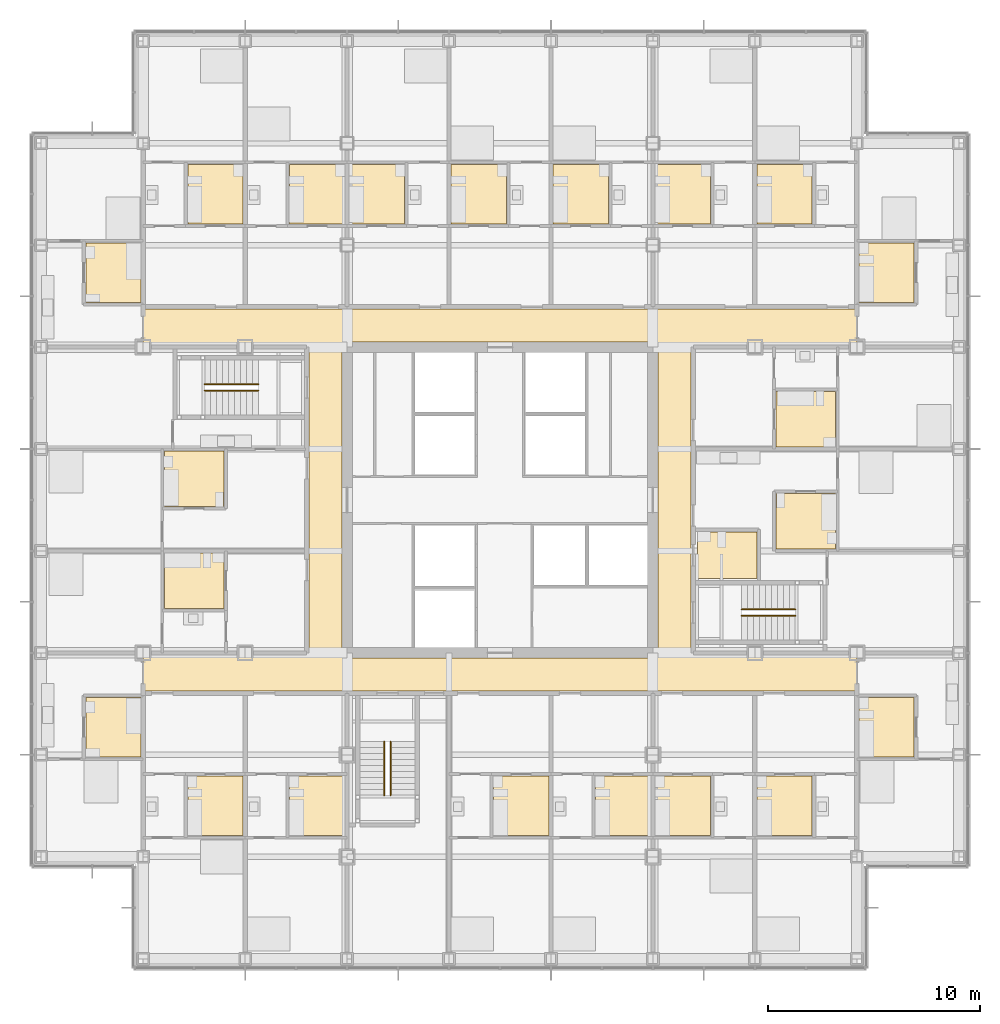
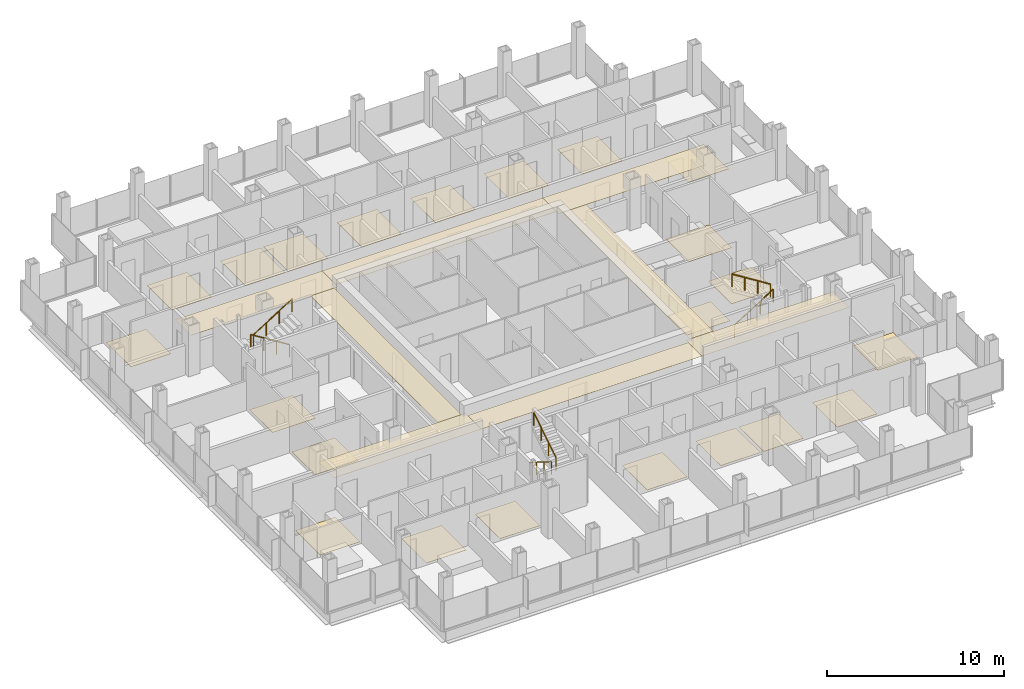
# One storey, part 20 of 22: 30 coverings, 6 railings.
"""IFC4 building model written with IfcOpenShell, lengths in metres."""

from ifc_helpers import new_model, si_unit, direction, frame, origin, origin_2d, place, context, subcontext, project, spatial, polyline, circle, outline, extrude, material, layer, layer_set, type_object, element, save


model = new_model("IFC4")

# Units and contexts
model_context = context("Model", 3, precision=1e-05, world=origin(), true_north=direction((0.0, 1.0)))
body_context = subcontext(model_context, "Body", "Model", "MODEL_VIEW")
ifc_project = project(units=[si_unit("LENGTHUNIT", "METRE"), si_unit("AREAUNIT", "SQUARE_METRE"), si_unit("VOLUMEUNIT", "CUBIC_METRE"), si_unit("PLANEANGLEUNIT", "RADIAN"), si_unit("MASSUNIT", "GRAM", prefix="KILO")], contexts=[model_context])

# Site, building, storey
site_placement = place(None, origin())
site = spatial("IfcSite", under=ifc_project, at=site_placement, CompositionType="ELEMENT")
building_placement = place(site_placement, origin())
building = spatial("IfcBuilding", under=site, at=building_placement, Name="Kvirike Care Tower", CompositionType="ELEMENT")
storey_placement = place(building_placement, frame((0.0, 0.0, 76.0)))
storey = spatial("IfcBuildingStorey", under=building, at=storey_placement, Name="L20", CompositionType="ELEMENT", Elevation=76.0)

# Coverings
ifc_material_1 = material(Name="Perforated metal ceiling tile", Category="aluminium")
ifc_layer_1 = layer(ifc_material_1, 0.014892578125)
ifc_layer_set_1 = layer_set([ifc_layer_1], Name="CORRIDOR CEILING 15")
covering_type_1 = type_object("IfcCoveringType", Name="CORRIDOR CEILING 15", PredefinedType="CEILING", material=ifc_layer_set_1)
covering_1_placement = place(storey_placement, frame((0.0, 0.0, 2.5)))
element("IfcCovering", 1, at=covering_1_placement, inside=storey, type_object=covering_type_1, Name="Corridor ceiling L20", PredefinedType="CEILING", context=body_context, shape_type="SweptSolid", body=[
    extrude(outline(polyline([(4.800048828125, 27.0), (4.800048828125, 28.800048828125), (14.39990234375, 28.800048828125), (14.39990234375, 27.0), (4.800048828125, 27.0)])), origin(), (0.0, 0.0, 1.0), 0.014892578125),
])
covering_2_placement = place(storey_placement, frame((0.0, 0.0, 2.5)))
element("IfcCovering", 2, at=covering_2_placement, inside=storey, type_object=covering_type_1, Name="Corridor ceiling L20", PredefinedType="CEILING", context=body_context, shape_type="SweptSolid", body=[
    extrude(outline(polyline([(12.60009765625, 43.199951171875), (14.14990234375, 43.199951171875), (14.14990234375, 28.800048828125), (12.60009765625, 28.800048828125), (12.60009765625, 43.199951171875)])), origin(), (0.0, 0.0, 1.0), 0.014892578125),
])
covering_3_placement = place(storey_placement, frame((0.0, 0.0, 2.5)))
element("IfcCovering", 3, at=covering_3_placement, inside=storey, type_object=covering_type_1, Name="Corridor ceiling L20", PredefinedType="CEILING", context=body_context, shape_type="SweptSolid", body=[
    extrude(outline(polyline([(14.39990234375, 45.0), (14.39990234375, 43.199951171875), (4.800048828125, 43.199951171875), (4.800048828125, 45.0), (14.39990234375, 45.0)])), origin(), (0.0, 0.0, 1.0), 0.014892578125),
])
covering_4_placement = place(storey_placement, frame((0.0, 0.0, 2.5)))
element("IfcCovering", 4, at=covering_4_placement, inside=storey, type_object=covering_type_1, Name="Corridor ceiling L20", PredefinedType="CEILING", context=body_context, shape_type="SweptSolid", body=[
    extrude(outline(polyline([(14.39990234375, 27.0), (14.39990234375, 28.550048828125), (28.800048828125, 28.550048828125), (28.800048828125, 27.0), (14.39990234375, 27.0)])), origin(), (0.0, 0.0, 1.0), 0.014892578125),
])
covering_5_placement = place(storey_placement, frame((0.0, 0.0, 2.5)))
element("IfcCovering", 5, at=covering_5_placement, inside=storey, type_object=covering_type_1, Name="Corridor ceiling L20", PredefinedType="CEILING", context=body_context, shape_type="SweptSolid", body=[
    extrude(outline(polyline([(28.800048828125, 45.0), (28.800048828125, 43.449951171875), (14.39990234375, 43.449951171875), (14.39990234375, 45.0), (28.800048828125, 45.0)])), origin(), (0.0, 0.0, 1.0), 0.014892578125),
])
covering_6_placement = place(storey_placement, frame((0.0, 0.0, 2.5)))
element("IfcCovering", 6, at=covering_6_placement, inside=storey, type_object=covering_type_1, Name="Corridor ceiling L20", PredefinedType="CEILING", context=body_context, shape_type="SweptSolid", body=[
    extrude(outline(polyline([(28.800048828125, 27.0), (28.800048828125, 28.800048828125), (38.39990234375, 28.800048828125), (38.39990234375, 27.0), (28.800048828125, 27.0)])), origin(), (0.0, 0.0, 1.0), 0.014892578125),
])
covering_7_placement = place(storey_placement, frame((0.0, 0.0, 2.5)))
element("IfcCovering", 7, at=covering_7_placement, inside=storey, type_object=covering_type_1, Name="Corridor ceiling L20", PredefinedType="CEILING", context=body_context, shape_type="SweptSolid", body=[
    extrude(outline(polyline([(30.60009765625, 28.800048828125), (29.050048828125, 28.800048828125), (29.050048828125, 43.199951171875), (30.60009765625, 43.199951171875), (30.60009765625, 28.800048828125)])), origin(), (0.0, 0.0, 1.0), 0.014892578125),
])
covering_8_placement = place(storey_placement, frame((0.0, 0.0, 2.5)))
element("IfcCovering", 8, at=covering_8_placement, inside=storey, type_object=covering_type_1, Name="Corridor ceiling L20", PredefinedType="CEILING", context=body_context, shape_type="SweptSolid", body=[
    extrude(outline(polyline([(38.39990234375, 45.0), (38.39990234375, 43.199951171875), (28.800048828125, 43.199951171875), (28.800048828125, 45.0), (38.39990234375, 45.0)])), origin(), (0.0, 0.0, 1.0), 0.014892578125),
])

# Railings
ifc_material_2 = material(Name="Stainless steel handrail", Category="steel")
railing_type = type_object("IfcRailingType", Name="STAIR HANDRAIL 900", PredefinedType="HANDRAIL", material=ifc_material_2)
railing_1_placement = place(storey_placement, frame((10.219970703125, 41.449951171875, 0.175048828125)))
element("IfcRailing", 9, at=railing_1_placement, inside=storey, type_object=railing_type, Name="Stair 1 handrail L20 flight 1", PredefinedType="HANDRAIL", context=body_context, shape_type="SweptSolid", body=[
    extrude(circle(Radius=0.02490234375, at=origin_2d()), frame((0.0, 0.0, 0.875), z_axis=(-0.848007534815, 0.0, 0.529984170421), x_axis=(0.0, -1.0, 0.0)), (0.0, 0.0, 1.0), 2.9716796875),
    extrude(circle(Radius=0.02001953125, at=origin_2d()), origin(), (0.0, 0.0, 1.0), 0.849853515625),
    extrude(circle(Radius=0.02001953125, at=origin_2d()), frame((-0.840087890625, 0.0, 0.52490234375)), (0.0, 0.0, 1.0), 0.849853515625),
    extrude(circle(Radius=0.02001953125, at=origin_2d()), frame((-1.679931640625, 0.0, 1.050048828125)), (0.0, 0.0, 1.0), 0.849853515625),
    extrude(circle(Radius=0.02001953125, at=origin_2d()), frame((-2.52001953125, 0.0, 1.574951171875)), (0.0, 0.0, 1.0), 0.849853515625),
])
for number, where, name in (
    (10, (7.699951171875, 41.14990234375, 1.925048828125), "Stair 1 handrail L20 flight 2"),
    (11, (32.97998046875, 30.550048828125, 0.175048828125), "Stair 2 handrail L20 flight 1"),
):
    element("IfcRailing", number, at=place(storey_placement, frame(where)), inside=storey, type_object=railing_type, Name=name, PredefinedType="HANDRAIL", context=body_context, shape_type="SweptSolid", body=[
        extrude(circle(Radius=0.02490234375, at=origin_2d()), frame((0.0, 0.0, 0.875), z_axis=(0.848007534815, 0.0, 0.529984170421), x_axis=(0.0, 1.0, 0.0)), (0.0, 0.0, 1.0), 2.9716796875),
        extrude(circle(Radius=0.02001953125, at=origin_2d()), origin(), (0.0, 0.0, 1.0), 0.849853515625),
        extrude(circle(Radius=0.02001953125, at=origin_2d()), frame((0.840087890625, 0.0, 0.52490234375)), (0.0, 0.0, 1.0), 0.849853515625),
        extrude(circle(Radius=0.02001953125, at=origin_2d()), frame((1.679931640625, 0.0, 1.050048828125)), (0.0, 0.0, 1.0), 0.849853515625),
        extrude(circle(Radius=0.02001953125, at=origin_2d()), frame((2.52001953125, 0.0, 1.574951171875)), (0.0, 0.0, 1.0), 0.849853515625),
    ])
railing_2_placement = place(storey_placement, frame((35.5, 30.85009765625, 1.925048828125)))
element("IfcRailing", 12, at=railing_2_placement, inside=storey, type_object=railing_type, Name="Stair 2 handrail L20 flight 2", PredefinedType="HANDRAIL", context=body_context, shape_type="SweptSolid", body=[
    extrude(circle(Radius=0.02490234375, at=origin_2d()), frame((0.0, 0.0, 0.875), z_axis=(-0.848007534815, 0.0, 0.529984170421), x_axis=(0.0, -1.0, 0.0)), (0.0, 0.0, 1.0), 2.9716796875),
    extrude(circle(Radius=0.02001953125, at=origin_2d()), origin(), (0.0, 0.0, 1.0), 0.849853515625),
    extrude(circle(Radius=0.02001953125, at=origin_2d()), frame((-0.840087890625, 0.0, 0.52490234375)), (0.0, 0.0, 1.0), 0.849853515625),
    extrude(circle(Radius=0.02001953125, at=origin_2d()), frame((-1.679931640625, 0.0, 1.050048828125)), (0.0, 0.0, 1.0), 0.849853515625),
    extrude(circle(Radius=0.02001953125, at=origin_2d()), frame((-2.52001953125, 0.0, 1.574951171875)), (0.0, 0.0, 1.0), 0.849853515625),
])
railing_3_placement = place(storey_placement, frame((16.14990234375, 24.6201171875, 0.175048828125)))
element("IfcRailing", 13, at=railing_3_placement, inside=storey, type_object=railing_type, Name="Stair 5 handrail L20 flight 1", PredefinedType="HANDRAIL", context=body_context, shape_type="SweptSolid", body=[
    extrude(circle(Radius=0.02490234375, at=origin_2d()), frame((0.0, 0.0, 0.875), z_axis=(0.0, -0.848007534815, 0.529984170421), x_axis=(1.0, 0.0, 0.0)), (0.0, 0.0, 1.0), 2.9716796875),
    extrude(circle(Radius=0.02001953125, at=origin_2d()), origin(), (0.0, 0.0, 1.0), 0.849853515625),
    extrude(circle(Radius=0.02001953125, at=origin_2d()), frame((0.0, -0.840087890625, 0.52490234375)), (0.0, 0.0, 1.0), 0.849853515625),
    extrude(circle(Radius=0.02001953125, at=origin_2d()), frame((0.0, -1.679931640625, 1.050048828125)), (0.0, 0.0, 1.0), 0.849853515625),
    extrude(circle(Radius=0.02001953125, at=origin_2d()), frame((0.0, -2.52001953125, 1.574951171875)), (0.0, 0.0, 1.0), 0.849853515625),
])
railing_4_placement = place(storey_placement, frame((16.449951171875, 22.10009765625, 1.925048828125)))
element("IfcRailing", 14, at=railing_4_placement, inside=storey, type_object=railing_type, Name="Stair 5 handrail L20 flight 2", PredefinedType="HANDRAIL", context=body_context, shape_type="SweptSolid", body=[
    extrude(circle(Radius=0.02490234375, at=origin_2d()), frame((0.0, 0.0, 0.875), z_axis=(0.0, 0.848007534815, 0.529984170421), x_axis=(-1.0, 0.0, 0.0)), (0.0, 0.0, 1.0), 2.9716796875),
    extrude(circle(Radius=0.02001953125, at=origin_2d()), origin(), (0.0, 0.0, 1.0), 0.849853515625),
    extrude(circle(Radius=0.02001953125, at=origin_2d()), frame((0.0, 0.840087890625, 0.52490234375)), (0.0, 0.0, 1.0), 0.849853515625),
    extrude(circle(Radius=0.02001953125, at=origin_2d()), frame((0.0, 1.679931640625, 1.050048828125)), (0.0, 0.0, 1.0), 0.849853515625),
    extrude(circle(Radius=0.02001953125, at=origin_2d()), frame((0.0, 2.52001953125, 1.574951171875)), (0.0, 0.0, 1.0), 0.849853515625),
])

# Coverings
ifc_material_3 = material(Name="Slip-resistant vinyl safety flooring on screed")
ifc_layer_2 = layer(ifc_material_3, 0.02001953125)
ifc_layer_set_2 = layer_set([ifc_layer_2], Name="WET ROOM FLOOR 20")
covering_type_2 = type_object("IfcCoveringType", Name="WET ROOM FLOOR 20", PredefinedType="FLOORING", material=ifc_layer_set_2)
covering_9_placement = place(storey_placement, origin())
element("IfcCovering", 15, at=covering_9_placement, inside=storey, type_object=covering_type_2, Name="Bathroom floor L20-003", PredefinedType="FLOORING", context=body_context, shape_type="SweptSolid", body=[
    extrude(outline(polyline([(2.10009765625, 23.89990234375), (2.10009765625, 26.699951171875), (4.699951171875, 26.699951171875), (4.699951171875, 23.89990234375), (2.10009765625, 23.89990234375)])), origin(), (0.0, 0.0, 1.0), 0.02001953125),
])
covering_10_placement = place(storey_placement, origin())
element("IfcCovering", 16, at=covering_10_placement, inside=storey, type_object=covering_type_2, Name="Bathroom floor L20-006", PredefinedType="FLOORING", context=body_context, shape_type="SweptSolid", body=[
    extrude(outline(polyline([(6.89990234375, 20.199951171875), (6.89990234375, 23.0), (9.5, 23.0), (9.5, 20.199951171875), (6.89990234375, 20.199951171875)])), origin(), (0.0, 0.0, 1.0), 0.02001953125),
])
covering_11_placement = place(storey_placement, origin())
element("IfcCovering", 17, at=covering_11_placement, inside=storey, type_object=covering_type_2, Name="Bathroom floor L20-010", PredefinedType="FLOORING", context=body_context, shape_type="SweptSolid", body=[
    extrude(outline(polyline([(11.699951171875, 20.199951171875), (11.699951171875, 23.0), (14.300048828125, 23.0), (14.300048828125, 20.199951171875), (11.699951171875, 20.199951171875)])), origin(), (0.0, 0.0, 1.0), 0.02001953125),
])
covering_12_placement = place(storey_placement, origin())
element("IfcCovering", 18, at=covering_12_placement, inside=storey, type_object=covering_type_2, Name="Bathroom floor L20-017", PredefinedType="FLOORING", context=body_context, shape_type="SweptSolid", body=[
    extrude(outline(polyline([(5.800048828125, 38.300048828125), (8.60009765625, 38.300048828125), (8.60009765625, 35.699951171875), (5.800048828125, 35.699951171875), (5.800048828125, 38.300048828125)])), origin(), (0.0, 0.0, 1.0), 0.02001953125),
])
covering_13_placement = place(storey_placement, origin())
element("IfcCovering", 19, at=covering_13_placement, inside=storey, type_object=covering_type_2, Name="Bathroom floor L20-021", PredefinedType="FLOORING", context=body_context, shape_type="SweptSolid", body=[
    extrude(outline(polyline([(5.800048828125, 33.5), (8.60009765625, 33.5), (8.60009765625, 30.89990234375), (5.800048828125, 30.89990234375), (5.800048828125, 33.5)])), origin(), (0.0, 0.0, 1.0), 0.02001953125),
])
covering_14_placement = place(storey_placement, origin())
element("IfcCovering", 20, at=covering_14_placement, inside=storey, type_object=covering_type_2, Name="Bathroom floor L20-026", PredefinedType="FLOORING", context=body_context, shape_type="SweptSolid", body=[
    extrude(outline(polyline([(14.300048828125, 51.800048828125), (14.300048828125, 49.0), (11.699951171875, 49.0), (11.699951171875, 51.800048828125), (14.300048828125, 51.800048828125)])), origin(), (0.0, 0.0, 1.0), 0.02001953125),
])
covering_15_placement = place(storey_placement, origin())
element("IfcCovering", 21, at=covering_15_placement, inside=storey, type_object=covering_type_2, Name="Bathroom floor L20-030", PredefinedType="FLOORING", context=body_context, shape_type="SweptSolid", body=[
    extrude(outline(polyline([(9.5, 51.800048828125), (9.5, 49.0), (6.89990234375, 49.0), (6.89990234375, 51.800048828125), (9.5, 51.800048828125)])), origin(), (0.0, 0.0, 1.0), 0.02001953125),
])
covering_16_placement = place(storey_placement, origin())
element("IfcCovering", 22, at=covering_16_placement, inside=storey, type_object=covering_type_2, Name="Bathroom floor L20-034", PredefinedType="FLOORING", context=body_context, shape_type="SweptSolid", body=[
    extrude(outline(polyline([(4.699951171875, 48.10009765625), (4.699951171875, 45.300048828125), (2.10009765625, 45.300048828125), (2.10009765625, 48.10009765625), (4.699951171875, 48.10009765625)])), origin(), (0.0, 0.0, 1.0), 0.02001953125),
])
covering_17_placement = place(storey_placement, origin())
element("IfcCovering", 23, at=covering_17_placement, inside=storey, type_object=covering_type_2, Name="Bathroom floor L20-040", PredefinedType="FLOORING", context=body_context, shape_type="SweptSolid", body=[
    extrude(outline(polyline([(21.300048828125, 20.199951171875), (21.300048828125, 23.0), (23.89990234375, 23.0), (23.89990234375, 20.199951171875), (21.300048828125, 20.199951171875)])), origin(), (0.0, 0.0, 1.0), 0.02001953125),
])
covering_18_placement = place(storey_placement, origin())
element("IfcCovering", 24, at=covering_18_placement, inside=storey, type_object=covering_type_2, Name="Bathroom floor L20-044", PredefinedType="FLOORING", context=body_context, shape_type="SweptSolid", body=[
    extrude(outline(polyline([(26.10009765625, 20.199951171875), (26.10009765625, 23.0), (28.699951171875, 23.0), (28.699951171875, 20.199951171875), (26.10009765625, 20.199951171875)])), origin(), (0.0, 0.0, 1.0), 0.02001953125),
])
covering_19_placement = place(storey_placement, origin())
element("IfcCovering", 25, at=covering_19_placement, inside=storey, type_object=covering_type_2, Name="Bathroom floor L20-049", PredefinedType="FLOORING", context=body_context, shape_type="SweptSolid", body=[
    extrude(outline(polyline([(26.699951171875, 51.800048828125), (26.699951171875, 49.0), (24.10009765625, 49.0), (24.10009765625, 51.800048828125), (26.699951171875, 51.800048828125)])), origin(), (0.0, 0.0, 1.0), 0.02001953125),
])
covering_20_placement = place(storey_placement, origin())
element("IfcCovering", 26, at=covering_20_placement, inside=storey, type_object=covering_type_2, Name="Bathroom floor L20-053", PredefinedType="FLOORING", context=body_context, shape_type="SweptSolid", body=[
    extrude(outline(polyline([(21.89990234375, 51.800048828125), (21.89990234375, 49.0), (19.300048828125, 49.0), (19.300048828125, 51.800048828125), (21.89990234375, 51.800048828125)])), origin(), (0.0, 0.0, 1.0), 0.02001953125),
])
covering_21_placement = place(storey_placement, origin())
element("IfcCovering", 27, at=covering_21_placement, inside=storey, type_object=covering_type_2, Name="Bathroom floor L20-057", PredefinedType="FLOORING", context=body_context, shape_type="SweptSolid", body=[
    extrude(outline(polyline([(17.10009765625, 51.800048828125), (17.10009765625, 49.0), (14.5, 49.0), (14.5, 51.800048828125), (17.10009765625, 51.800048828125)])), origin(), (0.0, 0.0, 1.0), 0.02001953125),
])
covering_22_placement = place(storey_placement, origin())
element("IfcCovering", 28, at=covering_22_placement, inside=storey, type_object=covering_type_2, Name="Bathroom floor L20-062", PredefinedType="FLOORING", context=body_context, shape_type="SweptSolid", body=[
    extrude(outline(polyline([(28.89990234375, 20.199951171875), (28.89990234375, 23.0), (31.5, 23.0), (31.5, 20.199951171875), (28.89990234375, 20.199951171875)])), origin(), (0.0, 0.0, 1.0), 0.02001953125),
])
covering_23_placement = place(storey_placement, origin())
element("IfcCovering", 29, at=covering_23_placement, inside=storey, type_object=covering_type_2, Name="Bathroom floor L20-066", PredefinedType="FLOORING", context=body_context, shape_type="SweptSolid", body=[
    extrude(outline(polyline([(33.699951171875, 20.199951171875), (33.699951171875, 23.0), (36.300048828125, 23.0), (36.300048828125, 20.199951171875), (33.699951171875, 20.199951171875)])), origin(), (0.0, 0.0, 1.0), 0.02001953125),
])
covering_24_placement = place(storey_placement, origin())
element("IfcCovering", 30, at=covering_24_placement, inside=storey, type_object=covering_type_2, Name="Bathroom floor L20-070", PredefinedType="FLOORING", context=body_context, shape_type="SweptSolid", body=[
    extrude(outline(polyline([(38.5, 23.89990234375), (38.5, 26.699951171875), (41.10009765625, 26.699951171875), (41.10009765625, 23.89990234375), (38.5, 23.89990234375)])), origin(), (0.0, 0.0, 1.0), 0.02001953125),
])
covering_25_placement = place(storey_placement, origin())
element("IfcCovering", 31, at=covering_25_placement, inside=storey, type_object=covering_type_2, Name="Accessible WC floor L20-076", PredefinedType="FLOORING", context=body_context, shape_type="SweptSolid", body=[
    extrude(outline(polyline([(33.699951171875, 32.300048828125), (30.89990234375, 32.300048828125), (30.89990234375, 34.5), (33.699951171875, 34.5), (33.699951171875, 32.300048828125)])), origin(), (0.0, 0.0, 1.0), 0.02001953125),
])
covering_26_placement = place(storey_placement, origin())
element("IfcCovering", 32, at=covering_26_placement, inside=storey, type_object=covering_type_2, Name="Bathroom floor L20-077", PredefinedType="FLOORING", context=body_context, shape_type="SweptSolid", body=[
    extrude(outline(polyline([(37.39990234375, 33.699951171875), (34.60009765625, 33.699951171875), (34.60009765625, 36.300048828125), (37.39990234375, 36.300048828125), (37.39990234375, 33.699951171875)])), origin(), (0.0, 0.0, 1.0), 0.02001953125),
])
covering_27_placement = place(storey_placement, origin())
element("IfcCovering", 33, at=covering_27_placement, inside=storey, type_object=covering_type_2, Name="Bathroom floor L20-080", PredefinedType="FLOORING", context=body_context, shape_type="SweptSolid", body=[
    extrude(outline(polyline([(37.39990234375, 38.5), (34.60009765625, 38.5), (34.60009765625, 41.10009765625), (37.39990234375, 41.10009765625), (37.39990234375, 38.5)])), origin(), (0.0, 0.0, 1.0), 0.02001953125),
])
covering_28_placement = place(storey_placement, origin())
element("IfcCovering", 34, at=covering_28_placement, inside=storey, type_object=covering_type_2, Name="Bathroom floor L20-085", PredefinedType="FLOORING", context=body_context, shape_type="SweptSolid", body=[
    extrude(outline(polyline([(41.10009765625, 48.10009765625), (41.10009765625, 45.300048828125), (38.5, 45.300048828125), (38.5, 48.10009765625), (41.10009765625, 48.10009765625)])), origin(), (0.0, 0.0, 1.0), 0.02001953125),
])
covering_29_placement = place(storey_placement, origin())
element("IfcCovering", 35, at=covering_29_placement, inside=storey, type_object=covering_type_2, Name="Bathroom floor L20-088", PredefinedType="FLOORING", context=body_context, shape_type="SweptSolid", body=[
    extrude(outline(polyline([(36.300048828125, 51.800048828125), (36.300048828125, 49.0), (33.699951171875, 49.0), (33.699951171875, 51.800048828125), (36.300048828125, 51.800048828125)])), origin(), (0.0, 0.0, 1.0), 0.02001953125),
])
covering_30_placement = place(storey_placement, origin())
element("IfcCovering", 36, at=covering_30_placement, inside=storey, type_object=covering_type_2, Name="Bathroom floor L20-092", PredefinedType="FLOORING", context=body_context, shape_type="SweptSolid", body=[
    extrude(outline(polyline([(31.5, 51.800048828125), (31.5, 49.0), (28.89990234375, 49.0), (28.89990234375, 51.800048828125), (31.5, 51.800048828125)])), origin(), (0.0, 0.0, 1.0), 0.02001953125),
])

save(model, "model.ifc")
